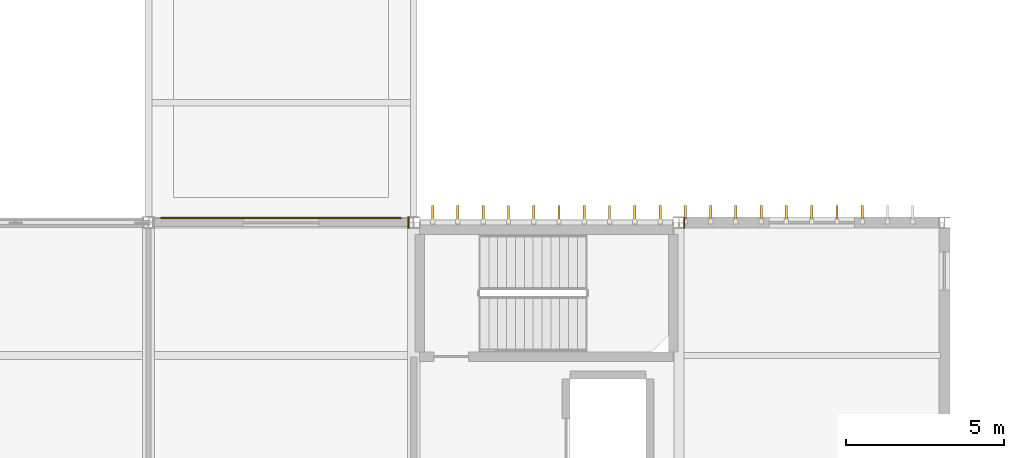
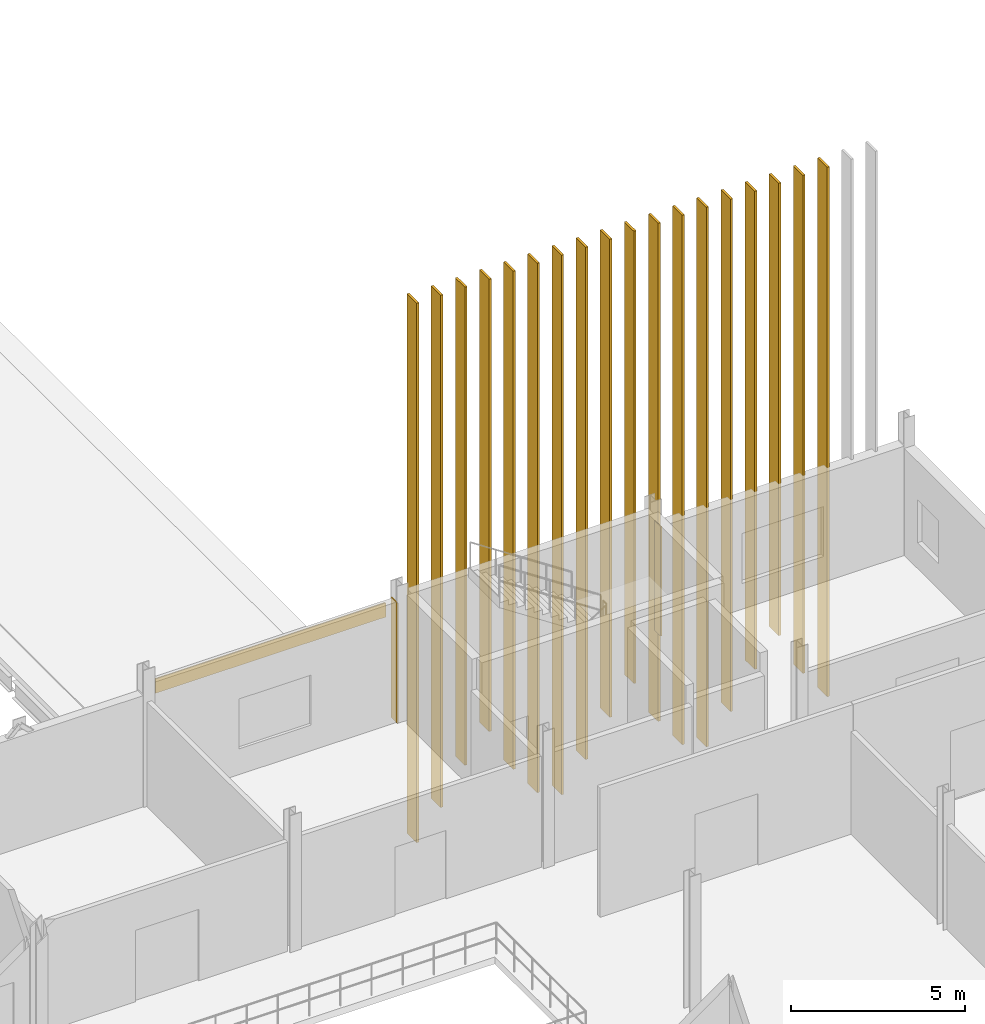
# One storey, part 62 of 72: 21 coverings.
"""IFC4 building model written with IfcOpenShell, lengths in metres."""

import ifcopenshell
import ifcopenshell.guid

model = None  # the IFC model being written
_history = None  # IfcOwnerHistory: only IFC2X3 demands one
_inside = {}  # id of a spatial element -> (the spatial element, [elements in it])
_under = {}  # id of a project, library or spatial element -> (it, [spatial elements below it])
_declared = {}  # id of a project -> (the project, [libraries it declares])
_typed = {}  # id of a type object -> (the type object, [elements of that type])
_made_of = {}  # id of a material, layer set ... -> (it, [elements and type objects made of it])


def new_model(schema):
    """Start an empty IFC model of exactly this schema.

    Asked for "IFC4X3", IfcOpenShell would pick the latest addendum, in which some entities
    have other attributes; the version numbers below select the first issue.
    IFC2X3 requires an IfcOwnerHistory on every rooted entity: one is made here for all.
    """
    global model, _history
    if schema == "IFC4X3":
        model = ifcopenshell.file(schema_version=(4, 3, 0, 0))
    else:
        model = ifcopenshell.file(schema=schema)
    _inside.clear()
    _under.clear()
    _declared.clear()
    _typed.clear()
    _made_of.clear()
    _history = None
    if model.schema == "IFC2X3":
        org = make("IfcOrganization", Name="unknown")
        user = make(
            "IfcPersonAndOrganization",
            ThePerson=make("IfcPerson", FamilyName="unknown"),
            TheOrganization=org,
        )
        app = make(
            "IfcApplication",
            ApplicationDeveloper=org,
            Version="unknown",
            ApplicationFullName="unknown",
            ApplicationIdentifier="unknown",
        )
        _history = make(
            "IfcOwnerHistory",
            OwningUser=user,
            OwningApplication=app,
            ChangeAction="ADDED",
            CreationDate=0,
        )
    return model


def make(cls, **values):
    """One entity of the class cls with the attributes given. An attribute that is None is left unset."""
    return model.create_entity(
        cls, **{name: value for name, value in values.items() if value is not None}
    )


def rooted(cls, **values):
    """An entity with a GlobalId (a new one), such as an element, a storey or a relation."""
    return make(cls, GlobalId=ifcopenshell.guid.new(), OwnerHistory=_history, **values)


def si_unit(unit_type, name, prefix=None):
    """IfcSIUnit, for example si_unit("LENGTHUNIT", "METRE", prefix="MILLI")."""
    return make("IfcSIUnit", UnitType=unit_type, Prefix=prefix, Name=name)


def assignment(units):
    """IfcUnitAssignment: the units of a project."""
    return None if units is None else make("IfcUnitAssignment", Units=units)


def point(xyz):
    """IfcCartesianPoint."""
    return None if xyz is None else make("IfcCartesianPoint", Coordinates=xyz)


def direction(xyz):
    """IfcDirection."""
    return None if xyz is None else make("IfcDirection", DirectionRatios=xyz)


def frame(location, z_axis=None, x_axis=None):
    """IfcAxis2Placement3D, a coordinate frame: its origin and axes. An axis left out is left unset."""
    return make(
        "IfcAxis2Placement3D",
        Location=point(location),
        Axis=direction(z_axis),
        RefDirection=direction(x_axis),
    )


def frame_2d(location, x_axis=None):
    """IfcAxis2Placement2D, a coordinate frame in the plane: its origin and x axis."""
    return make(
        "IfcAxis2Placement2D", Location=point(location), RefDirection=direction(x_axis)
    )


def origin():
    """The frame at (0, 0, 0) with its axes left unset."""
    return frame((0.0, 0.0, 0.0))


def origin_2d():
    """The frame at (0, 0) in the plane with its x axis left unset."""
    return frame_2d((0.0, 0.0))


def place(relative_to, where):
    """IfcLocalPlacement: puts the frame where relative to a parent placement (None: the world)."""
    return make(
        "IfcLocalPlacement", PlacementRelTo=relative_to, RelativePlacement=where
    )


def context(
    kind, dimensions, precision=None, world=None, true_north=None, identifier=None
):
    """IfcGeometricRepresentationContext, for example the 3D "Model" context."""
    return make(
        "IfcGeometricRepresentationContext",
        ContextIdentifier=identifier,
        ContextType=kind,
        CoordinateSpaceDimension=dimensions,
        Precision=precision,
        WorldCoordinateSystem=world,
        TrueNorth=true_north,
    )


def subcontext(parent, identifier, kind, view, scale=None):
    """IfcGeometricRepresentationSubContext, for example "Body" below "Model"."""
    return make(
        "IfcGeometricRepresentationSubContext",
        ContextIdentifier=identifier,
        ContextType=kind,
        ParentContext=parent,
        TargetScale=scale,
        TargetView=view,
    )


def project(units=None, contexts=None):
    """IfcProject with its units and contexts."""
    return rooted(
        "IfcProject",
        Name="project",
        RepresentationContexts=contexts,
        UnitsInContext=assignment(units),
    )


def spatial(cls, under=None, at=None, **own):
    """A site, building, storey or space (cls), placed at a placement, below another one or the project."""
    s = rooted(cls, ObjectPlacement=at, **own)
    if under is not None:
        _under.setdefault(under.id(), (under, []))[1].append(s)
    return s


def polyline(points):
    """IfcPolyline through the points."""
    return make("IfcPolyline", Points=[point(p) for p in points])


def profile(cls, at=None, kind="AREA", **sizes):
    """A parametric profile (cls). Its sizes go by their IFC names, for example OverallWidth=200.0."""
    return make(cls, ProfileType=kind, Position=at, **sizes)


def rectangle(**sizes):
    """IfcRectangleProfileDef."""
    return profile("IfcRectangleProfileDef", **sizes)


def outline(outer, holes=None, kind="AREA"):
    """IfcArbitraryClosedProfileDef: a profile drawn as a closed curve; with holes, ...WithVoids."""
    if holes is None:
        return make("IfcArbitraryClosedProfileDef", ProfileType=kind, OuterCurve=outer)
    return make(
        "IfcArbitraryProfileDefWithVoids",
        ProfileType=kind,
        OuterCurve=outer,
        InnerCurves=holes,
    )


def extrude(swept, where, along, depth):
    """IfcExtrudedAreaSolid: the profile swept, set in the frame where, extruded along a direction by depth."""
    return make(
        "IfcExtrudedAreaSolid",
        SweptArea=swept,
        Position=where,
        ExtrudedDirection=direction(along),
        Depth=depth,
    )


def shape(context_of_items, identifier, shape_type, items):
    """IfcShapeRepresentation: the items that make up one representation, for example the "Body"."""
    return make(
        "IfcShapeRepresentation",
        ContextOfItems=context_of_items,
        RepresentationIdentifier=identifier,
        RepresentationType=shape_type,
        Items=items,
    )


def material(Name=None, Category=None):
    """IfcMaterial."""
    return make("IfcMaterial", Name=Name, Category=Category)


def layer(
    of_material, thickness, ventilated=None, Name=None, Category=None, Priority=None
):
    """IfcMaterialLayer: one layer of a wall or slab, of a material (None: an air gap)."""
    return make(
        "IfcMaterialLayer",
        Material=of_material,
        LayerThickness=thickness,
        IsVentilated=ventilated,
        Name=Name,
        Category=Category,
        Priority=Priority,
    )


def layer_set(layers, Name=None):
    """IfcMaterialLayerSet."""
    return make("IfcMaterialLayerSet", MaterialLayers=layers, LayerSetName=Name)


def made_of(thing, what):
    """Note that an element or type object is made of a material, layer set ...; save() writes the relation."""
    if what is not None:
        _made_of.setdefault(what.id(), (what, []))[1].append(thing)
    return thing


def type_object(cls, material=None, **own):
    """A type object (cls), such as IfcWallType, which elements share."""
    return made_of(rooted(cls, **own), material)


def element(
    cls,
    number,
    at=None,
    inside=None,
    cuts=None,
    type_object=None,
    material=None,
    context=None,
    identifier="Body",
    shape_type=None,
    held_by="IfcProductDefinitionShape",
    body=None,
    shapes=None,
    **own,
):
    """One element of the class cls, such as IfcWall. Its Tag is "e" and its number.

    at: its placement. inside: the storey or other place that contains it. cuts: it is an
    opening in that element (IfcRelVoidsElement). A single representation is given by context,
    identifier, shape_type and body (its items); several are given by shapes. held_by: the class
    of the entity that holds the representations. save() writes the other relations.
    """
    e = rooted(cls, Tag="e%d" % number, ObjectPlacement=at, **own)
    if body is not None:
        shapes = [shape(context, identifier, shape_type, body)]
    if shapes is not None:
        e.Representation = make(held_by, Representations=shapes)
    if inside is not None:
        _inside.setdefault(inside.id(), (inside, []))[1].append(e)
    if cuts is not None:
        rooted(
            "IfcRelVoidsElement", RelatingBuildingElement=cuts, RelatedOpeningElement=e
        )
    if type_object is not None:
        _typed.setdefault(type_object.id(), (type_object, []))[1].append(e)
    return made_of(e, material)


def aggregate(whole, parts):
    """IfcRelAggregates: a whole, such as a stair, and the parts it consists of."""
    return rooted("IfcRelAggregates", RelatingObject=whole, RelatedObjects=parts)


def save(model, path):
    """Write the relations noted so far, then the file.

    IfcRelAggregates (storeys below a building ...), IfcRelContainedInSpatialStructure (elements
    in a storey), IfcRelDefinesByType, IfcRelAssociatesMaterial and IfcRelDeclares: one each for
    every whole, place, type object, material and project.
    """
    for whole, parts in _under.values():
        aggregate(whole, parts)
    for where, things in _inside.values():
        rooted(
            "IfcRelContainedInSpatialStructure",
            RelatedElements=things,
            RelatingStructure=where,
        )
    for kind, things in _typed.values():
        rooted("IfcRelDefinesByType", RelatedObjects=things, RelatingType=kind)
    for what, things in _made_of.values():
        rooted("IfcRelAssociatesMaterial", RelatedObjects=things, RelatingMaterial=what)
    for by, libraries in _declared.values():
        rooted("IfcRelDeclares", RelatingContext=by, RelatedDefinitions=libraries)
    model.write(path)


model = new_model("IFC4")

# Units and contexts
model_context = context("Model", 3, precision=1e-05, world=origin(), true_north=direction((0.0, 1.0)))
body_context = subcontext(model_context, "Body", "Model", "MODEL_VIEW")
ifc_project = project(units=[si_unit("LENGTHUNIT", "METRE"), si_unit("AREAUNIT", "SQUARE_METRE"), si_unit("VOLUMEUNIT", "CUBIC_METRE"), si_unit("PLANEANGLEUNIT", "RADIAN"), si_unit("MASSUNIT", "GRAM", prefix="KILO")], contexts=[model_context])

# Site, building, storey
site_placement = place(None, origin())
site = spatial("IfcSite", under=ifc_project, at=site_placement, CompositionType="ELEMENT")
building_placement = place(site_placement, origin())
building = spatial("IfcBuilding", under=site, at=building_placement, Name="Calvrana Isthmian Art Gallery", CompositionType="ELEMENT")
storey_placement = place(building_placement, frame((0.0, 0.0, 15.0)))
storey = spatial("IfcBuildingStorey", under=building, at=storey_placement, Name="L03", CompositionType="ELEMENT", Elevation=15.0)

# Coverings
ifc_material_1 = material(Name="Polychrome glazed terracotta", Category="masonry")
ifc_layer_1 = layer(ifc_material_1, 0.0400390625, Name="Polychrome glazed terracotta")
ifc_layer_set_1 = layer_set([ifc_layer_1], Name="Polychrome glazed terracotta")
covering_type_1 = type_object("IfcCoveringType", Name="COV-CLAD-TERRA", PredefinedType="CLADDING", material=ifc_layer_set_1)
covering_1_placement = place(storey_placement, origin())
element("IfcCovering", 1, at=covering_1_placement, inside=storey, type_object=covering_type_1, Name="Column pocket weather closure L03-07-06-E", PredefinedType="CLADDING", context=body_context, shape_type="SweptSolid", body=[
    extrude(outline(polyline([(63.41357421875, 46.62109375), (63.45361328125, 46.62109375), (63.45361328125, 46.97900390625), (63.41357421875, 46.97900390625), (63.41357421875, 46.62109375)])), origin(), (0.0, 0.0, 1.0), 4.215087890625),
])
covering_2_placement = place(storey_placement, frame((59.39990234375, 46.943115234375, 3.615234375), z_axis=(0.0, 0.0, 1.0), x_axis=(1.0, 0.0, 0.0)))
element("IfcCovering", 2, at=covering_2_placement, inside=storey, type_object=covering_type_1, Name="Terracotta spandrel cladding 150", PredefinedType="CLADDING", context=body_context, shape_type="SweptSolid", body=[
    extrude(rectangle(XDim=7.626953125, YDim=0.0400390625, at=origin_2d()), origin(), (0.0, 0.0, 1.0), 0.5),
])
covering_3_placement = place(storey_placement, origin())
element("IfcCovering", 3, at=covering_3_placement, inside=storey, type_object=covering_type_1, Name="Column pocket weather closure L03-09-06-W", PredefinedType="CLADDING", context=body_context, shape_type="SweptSolid", body=[
    extrude(outline(polyline([(72.1455078125, 46.62353515625), (72.185546875, 46.62353515625), (72.185546875, 46.9765625), (72.1455078125, 46.9765625), (72.1455078125, 46.62353515625)])), origin(), (0.0, 0.0, 1.0), 3.826904296875),
])
ifc_material_2 = material(Name="Anodized bronze aluminium 6063-T6", Category="aluminium")
ifc_layer_2 = layer(ifc_material_2, 0.074951171875, Name="Anodized bronze aluminium 6063-T6")
ifc_layer_set_2 = layer_set([ifc_layer_2], Name="Anodized bronze aluminium 6063-T6")
covering_type_2 = type_object("IfcCoveringType", Name="COV-FIN-550", PredefinedType="CLADDING", material=ifc_layer_set_2)
covering_4_placement = place(storey_placement, frame((64.199951171875, 47.072998046875, -4.550048828125), z_axis=(0.0, 0.0, 1.0), x_axis=(1.0, 0.0, 0.0)))
element("IfcCovering", 4, at=covering_4_placement, inside=storey, type_object=covering_type_2, Name="Anodized bronze vertical solar fin FN-093", PredefinedType="CLADDING", context=body_context, shape_type="SweptSolid", body=[
    extrude(rectangle(XDim=0.074951171875, YDim=0.550048828125, at=origin_2d()), origin(), (0.0, 0.0, 1.0), 18.89990234375),
])
covering_5_placement = place(storey_placement, frame((65.0, 47.072998046875, -3.60009765625), z_axis=(0.0, 0.0, 1.0), x_axis=(1.0, 0.0, 0.0)))
element("IfcCovering", 5, at=covering_5_placement, inside=storey, type_object=covering_type_2, Name="Anodized bronze vertical solar fin FN-094", PredefinedType="CLADDING", context=body_context, shape_type="SweptSolid", body=[
    extrude(rectangle(XDim=0.074951171875, YDim=0.550048828125, at=origin_2d()), origin(), (0.0, 0.0, 1.0), 17.949951171875),
])
covering_6_placement = place(storey_placement, frame((65.800048828125, 47.072998046875, -2.39990234375), z_axis=(0.0, 0.0, 1.0), x_axis=(1.0, 0.0, 0.0)))
element("IfcCovering", 6, at=covering_6_placement, inside=storey, type_object=covering_type_2, Name="Anodized bronze vertical solar fin FN-095", PredefinedType="CLADDING", context=body_context, shape_type="SweptSolid", body=[
    extrude(rectangle(XDim=0.074951171875, YDim=0.550048828125, at=origin_2d()), origin(), (0.0, 0.0, 1.0), 16.75),
])
covering_7_placement = place(storey_placement, frame((66.60009765625, 47.072998046875, -1.5), z_axis=(0.0, 0.0, 1.0), x_axis=(1.0, 0.0, 0.0)))
element("IfcCovering", 7, at=covering_7_placement, inside=storey, type_object=covering_type_2, Name="Anodized bronze vertical solar fin FN-096", PredefinedType="CLADDING", context=body_context, shape_type="SweptSolid", body=[
    extrude(rectangle(XDim=0.074951171875, YDim=0.550048828125, at=origin_2d()), origin(), (0.0, 0.0, 1.0), 15.85009765625),
])
covering_8_placement = place(storey_placement, frame((67.39990234375, 47.072998046875, -3.10009765625), z_axis=(0.0, 0.0, 1.0), x_axis=(1.0, 0.0, 0.0)))
element("IfcCovering", 8, at=covering_8_placement, inside=storey, type_object=covering_type_2, Name="Anodized bronze vertical solar fin FN-097", PredefinedType="CLADDING", context=body_context, shape_type="SweptSolid", body=[
    extrude(rectangle(XDim=0.074951171875, YDim=0.550048828125, at=origin_2d()), origin(), (0.0, 0.0, 1.0), 17.449951171875),
])
covering_9_placement = place(storey_placement, frame((68.199951171875, 47.072998046875, -4.2001953125), z_axis=(0.0, 0.0, 1.0), x_axis=(1.0, 0.0, 0.0)))
element("IfcCovering", 9, at=covering_9_placement, inside=storey, type_object=covering_type_2, Name="Anodized bronze vertical solar fin FN-098", PredefinedType="CLADDING", context=body_context, shape_type="SweptSolid", body=[
    extrude(rectangle(XDim=0.074951171875, YDim=0.550048828125, at=origin_2d()), origin(), (0.0, 0.0, 1.0), 18.550048828125),
])
covering_10_placement = place(storey_placement, frame((69.0, 47.072998046875, -4.550048828125), z_axis=(0.0, 0.0, 1.0), x_axis=(1.0, 0.0, 0.0)))
element("IfcCovering", 10, at=covering_10_placement, inside=storey, type_object=covering_type_2, Name="Anodized bronze vertical solar fin FN-099", PredefinedType="CLADDING", context=body_context, shape_type="SweptSolid", body=[
    extrude(rectangle(XDim=0.074951171875, YDim=0.550048828125, at=origin_2d()), origin(), (0.0, 0.0, 1.0), 18.89990234375),
])
covering_11_placement = place(storey_placement, frame((69.800048828125, 47.072998046875, -3.60009765625), z_axis=(0.0, 0.0, 1.0), x_axis=(1.0, 0.0, 0.0)))
element("IfcCovering", 11, at=covering_11_placement, inside=storey, type_object=covering_type_2, Name="Anodized bronze vertical solar fin FN-100", PredefinedType="CLADDING", context=body_context, shape_type="SweptSolid", body=[
    extrude(rectangle(XDim=0.074951171875, YDim=0.550048828125, at=origin_2d()), origin(), (0.0, 0.0, 1.0), 17.949951171875),
])
covering_12_placement = place(storey_placement, frame((70.60009765625, 47.072998046875, -2.39990234375), z_axis=(0.0, 0.0, 1.0), x_axis=(1.0, 0.0, 0.0)))
element("IfcCovering", 12, at=covering_12_placement, inside=storey, type_object=covering_type_2, Name="Anodized bronze vertical solar fin FN-101", PredefinedType="CLADDING", context=body_context, shape_type="SweptSolid", body=[
    extrude(rectangle(XDim=0.074951171875, YDim=0.550048828125, at=origin_2d()), origin(), (0.0, 0.0, 1.0), 16.75),
])
covering_13_placement = place(storey_placement, frame((71.39990234375, 47.072998046875, -1.5), z_axis=(0.0, 0.0, 1.0), x_axis=(1.0, 0.0, 0.0)))
element("IfcCovering", 13, at=covering_13_placement, inside=storey, type_object=covering_type_2, Name="Anodized bronze vertical solar fin FN-102", PredefinedType="CLADDING", context=body_context, shape_type="SweptSolid", body=[
    extrude(rectangle(XDim=0.074951171875, YDim=0.550048828125, at=origin_2d()), origin(), (0.0, 0.0, 1.0), 15.85009765625),
])
covering_14_placement = place(storey_placement, frame((72.199951171875, 47.072998046875, -3.10009765625), z_axis=(0.0, 0.0, 1.0), x_axis=(1.0, 0.0, 0.0)))
element("IfcCovering", 14, at=covering_14_placement, inside=storey, type_object=covering_type_2, Name="Anodized bronze vertical solar fin FN-103", PredefinedType="CLADDING", context=body_context, shape_type="SweptSolid", body=[
    extrude(rectangle(XDim=0.074951171875, YDim=0.550048828125, at=origin_2d()), origin(), (0.0, 0.0, 1.0), 17.449951171875),
])
covering_15_placement = place(storey_placement, frame((73.0, 47.072998046875, -4.2001953125), z_axis=(0.0, 0.0, 1.0), x_axis=(1.0, 0.0, 0.0)))
element("IfcCovering", 15, at=covering_15_placement, inside=storey, type_object=covering_type_2, Name="Anodized bronze vertical solar fin FN-104", PredefinedType="CLADDING", context=body_context, shape_type="SweptSolid", body=[
    extrude(rectangle(XDim=0.074951171875, YDim=0.550048828125, at=origin_2d()), origin(), (0.0, 0.0, 1.0), 18.550048828125),
])
covering_16_placement = place(storey_placement, frame((73.800048828125, 47.072998046875, -4.550048828125), z_axis=(0.0, 0.0, 1.0), x_axis=(1.0, 0.0, 0.0)))
element("IfcCovering", 16, at=covering_16_placement, inside=storey, type_object=covering_type_2, Name="Anodized bronze vertical solar fin FN-105", PredefinedType="CLADDING", context=body_context, shape_type="SweptSolid", body=[
    extrude(rectangle(XDim=0.074951171875, YDim=0.550048828125, at=origin_2d()), origin(), (0.0, 0.0, 1.0), 18.89990234375),
])
covering_17_placement = place(storey_placement, frame((74.60009765625, 47.072998046875, -3.60009765625), z_axis=(0.0, 0.0, 1.0), x_axis=(1.0, 0.0, 0.0)))
element("IfcCovering", 17, at=covering_17_placement, inside=storey, type_object=covering_type_2, Name="Anodized bronze vertical solar fin FN-106", PredefinedType="CLADDING", context=body_context, shape_type="SweptSolid", body=[
    extrude(rectangle(XDim=0.074951171875, YDim=0.550048828125, at=origin_2d()), origin(), (0.0, 0.0, 1.0), 17.949951171875),
])
covering_18_placement = place(storey_placement, frame((75.39990234375, 47.072998046875, -2.39990234375), z_axis=(0.0, 0.0, 1.0), x_axis=(1.0, 0.0, 0.0)))
element("IfcCovering", 18, at=covering_18_placement, inside=storey, type_object=covering_type_2, Name="Anodized bronze vertical solar fin FN-107", PredefinedType="CLADDING", context=body_context, shape_type="SweptSolid", body=[
    extrude(rectangle(XDim=0.074951171875, YDim=0.550048828125, at=origin_2d()), origin(), (0.0, 0.0, 1.0), 16.75),
])
covering_19_placement = place(storey_placement, frame((76.199951171875, 47.072998046875, -1.5), z_axis=(0.0, 0.0, 1.0), x_axis=(1.0, 0.0, 0.0)))
element("IfcCovering", 19, at=covering_19_placement, inside=storey, type_object=covering_type_2, Name="Anodized bronze vertical solar fin FN-108", PredefinedType="CLADDING", context=body_context, shape_type="SweptSolid", body=[
    extrude(rectangle(XDim=0.074951171875, YDim=0.550048828125, at=origin_2d()), origin(), (0.0, 0.0, 1.0), 15.85009765625),
])
covering_20_placement = place(storey_placement, frame((77.0, 47.072998046875, -3.10009765625), z_axis=(0.0, 0.0, 1.0), x_axis=(1.0, 0.0, 0.0)))
element("IfcCovering", 20, at=covering_20_placement, inside=storey, type_object=covering_type_2, Name="Anodized bronze vertical solar fin FN-109", PredefinedType="CLADDING", context=body_context, shape_type="SweptSolid", body=[
    extrude(rectangle(XDim=0.074951171875, YDim=0.550048828125, at=origin_2d()), origin(), (0.0, 0.0, 1.0), 17.449951171875),
])
covering_21_placement = place(storey_placement, frame((77.800048828125, 47.072998046875, -4.2001953125), z_axis=(0.0, 0.0, 1.0), x_axis=(1.0, 0.0, 0.0)))
element("IfcCovering", 21, at=covering_21_placement, inside=storey, type_object=covering_type_2, Name="Anodized bronze vertical solar fin FN-110", PredefinedType="CLADDING", context=body_context, shape_type="SweptSolid", body=[
    extrude(rectangle(XDim=0.074951171875, YDim=0.550048828125, at=origin_2d()), origin(), (0.0, 0.0, 1.0), 18.550048828125),
])

save(model, "model.ifc")
